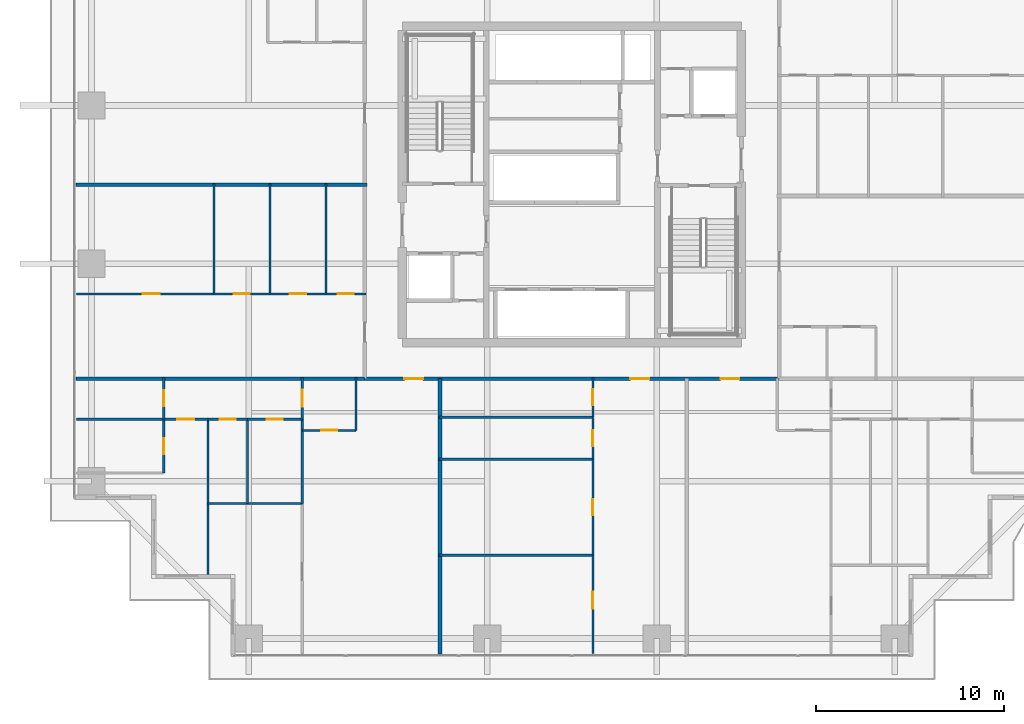
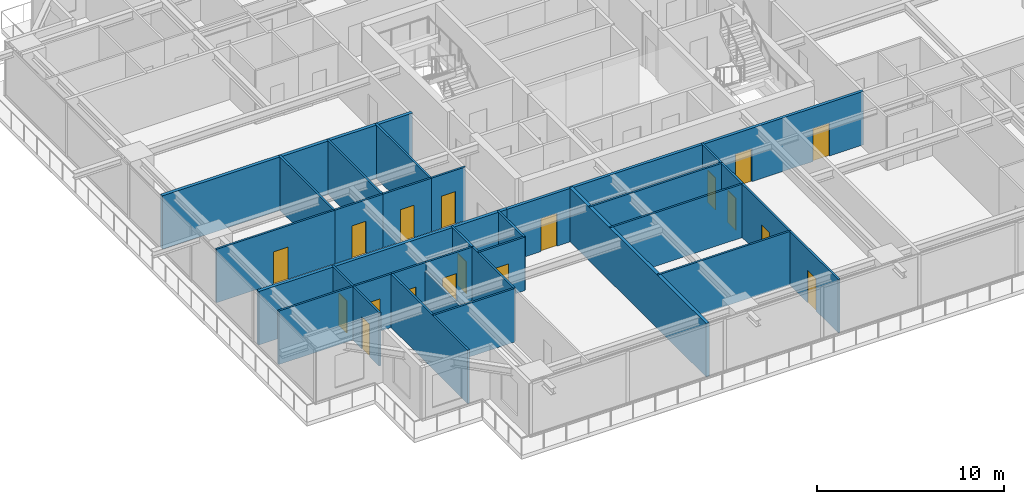
# One storey, part 27 of 38: 31 walls, 18 doors, 18 openings.
"""IFC4 building model written with IfcOpenShell, lengths in metres."""

from ifc_helpers import new_model, si_unit, direction, frame, frame_2d, origin, place, context, subcontext, project, spatial, rectangle, extrude, source, transform, mapped, material, layer, layer_set, type_object, element, fill, save


model = new_model("IFC4")

# Units and contexts
model_context = context("Model", 3, precision=1e-05, world=origin(), true_north=direction((0.0, 1.0)))
body_context = subcontext(model_context, "Body", "Model", "MODEL_VIEW")
ifc_project = project(units=[si_unit("LENGTHUNIT", "METRE"), si_unit("AREAUNIT", "SQUARE_METRE"), si_unit("VOLUMEUNIT", "CUBIC_METRE"), si_unit("PLANEANGLEUNIT", "RADIAN"), si_unit("MASSUNIT", "GRAM", prefix="KILO")], contexts=[model_context])

# Site, building, storey
site_placement = place(None, origin())
site = spatial("IfcSite", under=ifc_project, at=site_placement, CompositionType="ELEMENT")
building_placement = place(site_placement, origin())
building = spatial("IfcBuilding", under=site, at=building_placement, Name="Serunith Strait Residences", CompositionType="ELEMENT")
storey_placement = place(building_placement, frame((0.0, 0.0, 37.949951171875)))
storey = spatial("IfcBuildingStorey", under=building, at=storey_placement, Name="L08", CompositionType="ELEMENT", Elevation=37.949951171875)

# Wall, openings, doors
ifc_material_1 = material(Name="Fire-rated acoustic gypsum partition")
ifc_layer_1 = layer(ifc_material_1, 0.179931640625, Name="Fire-rated acoustic gypsum partition")
ifc_layer_set_1 = layer_set([ifc_layer_1], Name="Fire-rated acoustic gypsum partition")
wall_type_1 = type_object("IfcWallType", Name="IW-CORR-180", PredefinedType="PARTITIONING", material=ifc_layer_set_1)
wall_1_placement = place(storey_placement, frame((21.402099609375, 14.89990234375, 0.0), z_axis=(0.0, 0.0, 1.0), x_axis=(1.0, 0.0, 0.0)))
wall_1 = element("IfcWall", 1, at=wall_1_placement, inside=storey, type_object=wall_type_1, Name="L08 Partition Wall 027", PredefinedType="PARTITIONING", context=body_context, shape_type="SweptSolid", body=[
    extrude(rectangle(XDim=21.995849609375, YDim=0.179931640625, at=frame_2d((10.998046875, 0.0))), origin(), (0.0, 0.0, 1.0), 3.489990234375),
])
opening_1_placement = place(wall_1_placement, frame((2.10009765625, 0.0, 0.0)))
opening_1 = element("IfcOpeningElement", 2, at=opening_1_placement, cuts=wall_1, Name="Opening D-APT1000", PredefinedType="OPENING", context=body_context, shape_type="SweptSolid", body=[
    extrude(rectangle(XDim=1.0, YDim=2.14990234375, at=frame_2d((0.5, 1.074951171875))), frame((0.0, 0.10009765625, 0.0), z_axis=(0.0, -1.0, 0.0), x_axis=(1.0, 0.0, 0.0)), (0.0, 0.0, 1.0), 0.199951171875),
])
opening_2_placement = place(wall_1_placement, frame((14.10888671875, 0.0, 0.0)))
opening_2 = element("IfcOpeningElement", 3, at=opening_2_placement, cuts=wall_1, Name="Opening D-APT1000", PredefinedType="OPENING", context=body_context, shape_type="SweptSolid", body=[
    extrude(rectangle(XDim=1.0, YDim=2.14990234375, at=frame_2d((0.5, 1.074951171875))), frame((0.0, 0.10009765625, 0.0), z_axis=(0.0, -1.0, 0.0), x_axis=(1.0, 0.0, 0.0)), (0.0, 0.0, 1.0), 0.199951171875),
])
opening_3_placement = place(wall_1_placement, frame((18.89599609375, 0.0, 0.0)))
opening_3 = element("IfcOpeningElement", 4, at=opening_3_placement, cuts=wall_1, Name="Opening D-APT1000", PredefinedType="OPENING", context=body_context, shape_type="SweptSolid", body=[
    extrude(rectangle(XDim=1.0, YDim=2.14990234375, at=frame_2d((0.5, 1.074951171875))), frame((0.0, 0.10009765625, 0.0), z_axis=(0.0, -1.0, 0.0), x_axis=(1.0, 0.0, 0.0)), (0.0, 0.0, 1.0), 0.199951171875),
])
ifc_material_2 = material(Name="Solid timber engineered fire door", Category="wood")
door_type_1 = type_object("IfcDoorType", Name="ID-APT-1000", OperationType="NOTDEFINED", PredefinedType="DOOR", material=ifc_material_2)
shared_shape_1 = source(origin(), body_context, "Body", "SweptSolid", [
    extrude(rectangle(XDim=1.0, YDim=2.14990234375, at=frame_2d((0.5, 1.074951171875))), frame((0.0, 0.02490234375, 0.0), z_axis=(0.0, -1.0, 0.0), x_axis=(1.0, 0.0, 0.0)), (0.0, 0.0, 1.0), 0.050048828125),
])
door_1_placement = place(opening_1_placement, origin())
door_1 = element("IfcDoor", 5, at=door_1_placement, inside=storey, type_object=door_type_1, Name="L08 Unit 01 Entrance Door", OperationType="SINGLE_SWING_RIGHT", OverallHeight=2.14990234375, OverallWidth=1.0, PredefinedType="DOOR", context=body_context, shape_type="MappedRepresentation", body=[
    mapped(shared_shape_1, transform((0.0, 0.0, 0.0), scale=1.0)),
])
fill(opening_1, door_1)
door_2_placement = place(opening_2_placement, origin())
door_2 = element("IfcDoor", 6, at=door_2_placement, inside=storey, type_object=door_type_1, Name="L08 Unit 02 Entrance Door", OperationType="SINGLE_SWING_LEFT", OverallHeight=2.14990234375, OverallWidth=1.0, PredefinedType="DOOR", context=body_context, shape_type="MappedRepresentation", body=[
    mapped(shared_shape_1, transform((0.0, 0.0, 0.0), scale=1.0)),
])
fill(opening_2, door_2)
door_3_placement = place(opening_3_placement, origin())
door_3 = element("IfcDoor", 7, at=door_3_placement, inside=storey, type_object=door_type_1, Name="L08 Unit 03 Entrance Door", OperationType="SINGLE_SWING_RIGHT", OverallHeight=2.14990234375, OverallWidth=1.0, PredefinedType="DOOR", context=body_context, shape_type="MappedRepresentation", body=[
    mapped(shared_shape_1, transform((0.0, 0.0, 0.0), scale=1.0)),
])
fill(opening_3, door_3)

# Wall, opening, door
ifc_material_3 = material(Name="Lightweight steel-stud gypsum partition", Category="steel")
ifc_layer_2 = layer(ifc_material_3, 0.1201171875, Name="Lightweight steel-stud gypsum partition")
ifc_layer_set_2 = layer_set([ifc_layer_2], Name="Lightweight steel-stud gypsum partition")
wall_type_2 = type_object("IfcWallType", Name="IW-PART-120", PredefinedType="PARTITIONING", material=ifc_layer_set_2)
wall_2_placement = place(storey_placement, frame((18.090087890625, 12.14990234375, 0.0), z_axis=(0.0, 0.0, 1.0), x_axis=(1.0, 0.0, 0.0)))
wall_2 = element("IfcWall", 8, at=wall_2_placement, inside=storey, type_object=wall_type_2, Name="L08 Partition Wall 031", PredefinedType="PARTITIONING", context=body_context, shape_type="SweptSolid", body=[
    extrude(rectangle(XDim=2.849853515625, YDim=0.1201171875, at=frame_2d((1.4248046875, 0.0))), origin(), (0.0, 0.0, 1.0), 3.489990234375),
])
opening_4_placement = place(wall_2_placement, frame((1.0, 0.0, 0.0)))
opening_4 = element("IfcOpeningElement", 9, at=opening_4_placement, cuts=wall_2, Name="Opening D-RM850", PredefinedType="OPENING", context=body_context, shape_type="SweptSolid", body=[
    extrude(rectangle(XDim=0.85009765625, YDim=2.10009765625, at=frame_2d((0.425048828125, 1.050048828125))), frame((0.0, 0.070068359375, 0.0), z_axis=(0.0, -1.0, 0.0), x_axis=(1.0, 0.0, 0.0)), (0.0, 0.0, 1.0), 0.14013671875),
])
ifc_material_4 = material(Name="Engineered timber flush study and kitchen door", Category="wood")
door_type_2 = type_object("IfcDoorType", Name="ID-ROOM-850", OperationType="NOTDEFINED", PredefinedType="DOOR", material=ifc_material_4)
shared_shape_2 = source(origin(), body_context, "Body", "SweptSolid", [
    extrude(rectangle(XDim=0.85009765625, YDim=2.10009765625, at=frame_2d((0.425048828125, 1.050048828125))), frame((0.0, 0.02490234375, 0.0), z_axis=(0.0, -1.0, 0.0), x_axis=(1.0, 0.0, 0.0)), (0.0, 0.0, 1.0), 0.050048828125),
])
door_4_placement = place(opening_4_placement, origin())
door_4 = element("IfcDoor", 10, at=door_4_placement, inside=storey, type_object=door_type_2, Name="L08 Kitchen 0801 Door", OperationType="SINGLE_SWING_RIGHT", OverallHeight=2.10009765625, OverallWidth=0.85009765625, PredefinedType="DOOR", context=body_context, shape_type="MappedRepresentation", body=[
    mapped(shared_shape_2, transform((0.0, 0.0, 0.0), scale=1.0)),
])
fill(opening_4, door_4)

# Wall
wall_3_placement = place(storey_placement, frame((20.93994140625, 12.14990234375, 0.0), z_axis=(0.0, 0.0, 1.0), x_axis=(0.0, 1.0, 0.0)))
element("IfcWall", 11, at=wall_3_placement, inside=storey, type_object=wall_type_2, Name="L08 Partition Wall 032", PredefinedType="PARTITIONING", context=body_context, shape_type="SweptSolid", body=[
    extrude(rectangle(XDim=2.81005859375, YDim=0.1201171875, at=frame_2d((1.405029296875, 0.0))), origin(), (0.0, 0.0, 1.0), 3.489990234375),
])

# Wall, opening, door
wall_4_placement = place(storey_placement, frame((18.090087890625, 12.75, 0.0), z_axis=(0.0, 0.0, 1.0), x_axis=(0.0, 1.0, 0.0)))
wall_4 = element("IfcWall", 12, at=wall_4_placement, inside=storey, type_object=wall_type_2, Name="L08 Partition Wall 033", PredefinedType="PARTITIONING", context=body_context, shape_type="SweptSolid", body=[
    extrude(rectangle(XDim=2.2099609375, YDim=0.1201171875, at=frame_2d((1.10498046875, 0.0))), origin(), (0.0, 0.0, 1.0), 3.489990234375),
])
opening_5_placement = place(wall_4_placement, frame((0.655029296875, 0.0, 0.0)))
opening_5 = element("IfcOpeningElement", 13, at=opening_5_placement, cuts=wall_4, Name="Opening D-RM900", PredefinedType="OPENING", context=body_context, shape_type="SweptSolid", body=[
    extrude(rectangle(XDim=0.89990234375, YDim=2.10009765625, at=frame_2d((0.449951171875, 1.050048828125))), frame((0.0, 0.070068359375, 0.0), z_axis=(0.0, -1.0, 0.0), x_axis=(1.0, 0.0, 0.0)), (0.0, 0.0, 1.0), 0.14013671875),
])
ifc_material_5 = material(Name="Engineered timber flush bedroom door", Category="wood")
door_type_3 = type_object("IfcDoorType", Name="ID-ROOM-900", OperationType="NOTDEFINED", PredefinedType="DOOR", material=ifc_material_5)
shared_shape_3 = source(origin(), body_context, "Body", "SweptSolid", [
    extrude(rectangle(XDim=0.89990234375, YDim=2.10009765625, at=frame_2d((0.449951171875, 1.050048828125))), frame((0.0, 0.02490234375, 0.0), z_axis=(0.0, -1.0, 0.0), x_axis=(1.0, 0.0, 0.0)), (0.0, 0.0, 1.0), 0.050048828125),
])
door_5_placement = place(opening_5_placement, origin())
door_5 = element("IfcDoor", 14, at=door_5_placement, inside=storey, type_object=door_type_3, Name="L08 Hall W 0801 Door", OperationType="SINGLE_SWING_LEFT", OverallHeight=2.10009765625, OverallWidth=0.89990234375, PredefinedType="DOOR", context=body_context, shape_type="MappedRepresentation", body=[
    mapped(shared_shape_3, transform((0.0, 0.0, 0.0), scale=1.0)),
])
fill(opening_5, door_5)

# Walls
wall_5_placement = place(storey_placement, frame((18.090087890625, 8.278076171875, 0.0), z_axis=(0.0, 0.0, 1.0), x_axis=(0.0, 1.0, 0.0)))
element("IfcWall", 15, at=wall_5_placement, inside=storey, type_object=wall_type_2, Name="L08 Partition Wall 035", PredefinedType="PARTITIONING", context=body_context, shape_type="SweptSolid", body=[
    extrude(rectangle(XDim=4.469970703125, YDim=0.1201171875, at=frame_2d((2.23486328125, 0.0))), origin(), (0.0, 0.0, 1.0), 3.489990234375),
])
wall_6_placement = place(storey_placement, frame((13.080078125, 8.27587890625, 0.0), z_axis=(0.0, 0.0, 1.0), x_axis=(1.0, 0.0, 0.0)))
element("IfcWall", 16, at=wall_6_placement, inside=storey, type_object=wall_type_2, Name="L08 Partition Wall 036", PredefinedType="PARTITIONING", context=body_context, shape_type="SweptSolid", body=[
    extrude(rectangle(XDim=5.010009765625, YDim=0.1201171875, at=frame_2d((2.5048828125, 0.0))), origin(), (0.0, 0.0, 1.0), 3.489990234375),
])
wall_7_placement = place(storey_placement, frame((13.080078125, 4.4951171875, 0.0), z_axis=(0.0, 0.0, 1.0), x_axis=(0.0, 1.0, 0.0)))
element("IfcWall", 17, at=wall_7_placement, inside=storey, type_object=wall_type_2, Name="L08 Partition Wall 037", PredefinedType="PARTITIONING", context=body_context, shape_type="SweptSolid", body=[
    extrude(rectangle(XDim=8.2548828125, YDim=0.1201171875, at=frame_2d((4.12744140625, 0.0))), origin(), (0.0, 0.0, 1.0), 3.489990234375),
])
wall_8_placement = place(storey_placement, frame((15.179931640625, 8.27587890625, 0.0), z_axis=(0.0, 0.0, 1.0), x_axis=(0.0, 1.0, 0.0)))
element("IfcWall", 18, at=wall_8_placement, inside=storey, type_object=wall_type_2, Name="L08 Partition Wall 038", PredefinedType="PARTITIONING", context=body_context, shape_type="SweptSolid", body=[
    extrude(rectangle(XDim=4.47412109375, YDim=0.1201171875, at=frame_2d((2.237060546875, 0.0))), origin(), (0.0, 0.0, 1.0), 2.922119140625),
])

# Wall, opening, door
wall_9_placement = place(storey_placement, frame((13.080078125, 12.75, 0.0), z_axis=(0.0, 0.0, 1.0), x_axis=(1.0, 0.0, 0.0)))
wall_9 = element("IfcWall", 19, at=wall_9_placement, inside=storey, type_object=wall_type_2, Name="L08 Partition Wall 039", PredefinedType="PARTITIONING", context=body_context, shape_type="SweptSolid", body=[
    extrude(rectangle(XDim=2.099853515625, YDim=0.1201171875, at=frame_2d((1.0498046875, 0.0))), origin(), (0.0, 0.0, 1.0), 3.489990234375),
])
opening_6_placement = place(wall_9_placement, frame((0.625, 0.0, 0.0)))
opening_6 = element("IfcOpeningElement", 20, at=opening_6_placement, cuts=wall_9, Name="Opening D-BTH850", PredefinedType="OPENING", context=body_context, shape_type="SweptSolid", body=[
    extrude(rectangle(XDim=0.85009765625, YDim=2.10009765625, at=frame_2d((0.425048828125, 1.050048828125))), frame((0.0, 0.070068359375, 0.0), z_axis=(0.0, -1.0, 0.0), x_axis=(1.0, 0.0, 0.0)), (0.0, 0.0, 1.0), 0.14013671875),
])
ifc_material_6 = material(Name="Moisture-resistant timber bathroom door", Category="wood")
door_type_4 = type_object("IfcDoorType", Name="ID-BATH-850", OperationType="NOTDEFINED", PredefinedType="DOOR", material=ifc_material_6)
door_6_placement = place(opening_6_placement, origin())
door_6 = element("IfcDoor", 21, at=door_6_placement, inside=storey, type_object=door_type_4, Name="L08 Bathroom 0801 Door", OperationType="SINGLE_SWING_LEFT", OverallHeight=2.10009765625, OverallWidth=0.85009765625, PredefinedType="DOOR", context=body_context, shape_type="MappedRepresentation", body=[
    mapped(shared_shape_2, transform((0.0, 0.0, 0.0), scale=1.0)),
])
fill(opening_6, door_6)

wall_10_placement = place(storey_placement, frame((15.181884765625, 12.75, 0.0), z_axis=(0.0, 0.0, 1.0), x_axis=(1.0, 0.0, 0.0)))
wall_10 = element("IfcWall", 22, at=wall_10_placement, inside=storey, type_object=wall_type_2, Name="L08 Partition Wall 040", PredefinedType="PARTITIONING", context=body_context, shape_type="SweptSolid", body=[
    extrude(rectangle(XDim=2.908203125, YDim=0.1201171875, at=frame_2d((1.4541015625, 0.0))), origin(), (0.0, 0.0, 1.0), 3.489990234375),
])
opening_7_placement = place(wall_10_placement, frame((1.029052734375, 0.0, 0.0)))
opening_7 = element("IfcOpeningElement", 23, at=opening_7_placement, cuts=wall_10, Name="Opening D-RM850", PredefinedType="OPENING", context=body_context, shape_type="SweptSolid", body=[
    extrude(rectangle(XDim=0.85009765625, YDim=2.10009765625, at=frame_2d((0.425048828125, 1.050048828125))), frame((0.0, 0.070068359375, 0.0), z_axis=(0.0, -1.0, 0.0), x_axis=(1.0, 0.0, 0.0)), (0.0, 0.0, 1.0), 0.14013671875),
])
door_7_placement = place(opening_7_placement, origin())
door_7 = element("IfcDoor", 24, at=door_7_placement, inside=storey, type_object=door_type_2, Name="L08 Formal Dining Room 0801 Door", OperationType="SINGLE_SWING_RIGHT", OverallHeight=2.10009765625, OverallWidth=0.85009765625, PredefinedType="DOOR", context=body_context, shape_type="MappedRepresentation", body=[
    mapped(shared_shape_2, transform((0.0, 0.0, 0.0), scale=1.0)),
])
fill(opening_7, door_7)

wall_11_placement = place(storey_placement, frame((10.72998046875, 12.75, 0.0), z_axis=(0.0, 0.0, 1.0), x_axis=(1.0, 0.0, 0.0)))
wall_11 = element("IfcWall", 25, at=wall_11_placement, inside=storey, type_object=wall_type_2, Name="L08 Partition Wall 041", PredefinedType="PARTITIONING", context=body_context, shape_type="SweptSolid", body=[
    extrude(rectangle(XDim=2.347900390625, YDim=0.1201171875, at=frame_2d((1.173828125, 0.0))), origin(), (0.0, 0.0, 1.0), 3.489990234375),
])
opening_8_placement = place(wall_11_placement, frame((0.72412109375, 0.0, 0.0)))
opening_8 = element("IfcOpeningElement", 26, at=opening_8_placement, cuts=wall_11, Name="Opening D-RM900", PredefinedType="OPENING", context=body_context, shape_type="SweptSolid", body=[
    extrude(rectangle(XDim=0.89990234375, YDim=2.10009765625, at=frame_2d((0.449951171875, 1.050048828125))), frame((0.0, 0.070068359375, 0.0), z_axis=(0.0, -1.0, 0.0), x_axis=(1.0, 0.0, 0.0)), (0.0, 0.0, 1.0), 0.14013671875),
])
door_8_placement = place(opening_8_placement, origin())
door_8 = element("IfcDoor", 27, at=door_8_placement, inside=storey, type_object=door_type_3, Name="L08 Master Bedroom W 0801 Door", OperationType="SINGLE_SWING_LEFT", OverallHeight=2.10009765625, OverallWidth=0.89990234375, PredefinedType="DOOR", context=body_context, shape_type="MappedRepresentation", body=[
    mapped(shared_shape_3, transform((0.0, 0.0, 0.0), scale=1.0)),
])
fill(opening_8, door_8)

# Wall
wall_12_placement = place(storey_placement, frame((6.094970703125, 12.75, 0.0), z_axis=(0.0, 0.0, 1.0), x_axis=(1.0, 0.0, 0.0)))
element("IfcWall", 28, at=wall_12_placement, inside=storey, type_object=wall_type_2, Name="L08 Partition Wall 043", PredefinedType="PARTITIONING", context=body_context, shape_type="SweptSolid", body=[
    extrude(rectangle(XDim=4.633056640625, YDim=0.1201171875, at=frame_2d((2.31640625, 0.0))), origin(), (0.0, 0.0, 1.0), 3.489990234375),
])

# Wall, opening, door
wall_13_placement = place(storey_placement, frame((10.72998046875, 9.89404296875, 0.0), z_axis=(0.0, 0.0, 1.0), x_axis=(0.0, 1.0, 0.0)))
wall_13 = element("IfcWall", 29, at=wall_13_placement, inside=storey, type_object=wall_type_2, Name="L08 Partition Wall 044", PredefinedType="PARTITIONING", context=body_context, shape_type="SweptSolid", body=[
    extrude(rectangle(XDim=2.85595703125, YDim=0.1201171875, at=frame_2d((1.427978515625, 0.0))), origin(), (0.0, 0.0, 1.0), 3.489990234375),
])
opening_9_placement = place(wall_13_placement, frame((1.0029296875, 0.0, 0.0)))
opening_9 = element("IfcOpeningElement", 30, at=opening_9_placement, cuts=wall_13, Name="Opening D-BTH850", PredefinedType="OPENING", context=body_context, shape_type="SweptSolid", body=[
    extrude(rectangle(XDim=0.85009765625, YDim=2.10009765625, at=frame_2d((0.425048828125, 1.050048828125))), frame((0.0, 0.070068359375, 0.0), z_axis=(0.0, -1.0, 0.0), x_axis=(1.0, 0.0, 0.0)), (0.0, 0.0, 1.0), 0.14013671875),
])
door_9_placement = place(opening_9_placement, origin())
door_9 = element("IfcDoor", 31, at=door_9_placement, inside=storey, type_object=door_type_4, Name="L08 En-suite Bathroom W 0801 Door", OperationType="SINGLE_SWING_RIGHT", OverallHeight=2.10009765625, OverallWidth=0.85009765625, PredefinedType="DOOR", context=body_context, shape_type="MappedRepresentation", body=[
    mapped(shared_shape_2, transform((0.0, 0.0, 0.0), scale=1.0)),
])
fill(opening_9, door_9)

wall_14_placement = place(storey_placement, frame((10.72998046875, 12.751953125, 0.0), z_axis=(0.0, 0.0, 1.0), x_axis=(0.0, 1.0, 0.0)))
wall_14 = element("IfcWall", 32, at=wall_14_placement, inside=storey, type_object=wall_type_2, Name="L08 Partition Wall 045", PredefinedType="PARTITIONING", context=body_context, shape_type="SweptSolid", body=[
    extrude(rectangle(XDim=2.2080078125, YDim=0.1201171875, at=frame_2d((1.10400390625, 0.0))), origin(), (0.0, 0.0, 1.0), 3.489990234375),
])
opening_10_placement = place(wall_14_placement, frame((0.678955078125, 0.0, 0.0)))
opening_10 = element("IfcOpeningElement", 33, at=opening_10_placement, cuts=wall_14, Name="Opening D-RM850", PredefinedType="OPENING", context=body_context, shape_type="SweptSolid", body=[
    extrude(rectangle(XDim=0.85009765625, YDim=2.10009765625, at=frame_2d((0.425048828125, 1.050048828125))), frame((0.0, 0.070068359375, 0.0), z_axis=(0.0, -1.0, 0.0), x_axis=(1.0, 0.0, 0.0)), (0.0, 0.0, 1.0), 0.14013671875),
])
door_10_placement = place(opening_10_placement, origin())
door_10 = element("IfcDoor", 34, at=door_10_placement, inside=storey, type_object=door_type_2, Name="L08 Wardrobe W 0801 Door", OperationType="SINGLE_SWING_LEFT", OverallHeight=2.10009765625, OverallWidth=0.85009765625, PredefinedType="DOOR", context=body_context, shape_type="MappedRepresentation", body=[
    mapped(shared_shape_2, transform((0.0, 0.0, 0.0), scale=1.0)),
])
fill(opening_10, door_10)

wall_15_placement = place(storey_placement, frame((33.52001953125, 0.294921875, 0.0), z_axis=(0.0, 0.0, 1.0), x_axis=(0.0, 1.0, 0.0)))
wall_15 = element("IfcWall", 35, at=wall_15_placement, inside=storey, type_object=wall_type_2, Name="L08 Partition Wall 046", PredefinedType="PARTITIONING", context=body_context, shape_type="SweptSolid", body=[
    extrude(rectangle(XDim=5.233154296875, YDim=0.1201171875, at=frame_2d((2.61669921875, 0.0))), origin(), (0.0, 0.0, 1.0), 3.489990234375),
])
opening_11_placement = place(wall_15_placement, frame((2.383056640625, 0.0, 0.0)))
opening_11 = element("IfcOpeningElement", 36, at=opening_11_placement, cuts=wall_15, Name="Opening D-RM900", PredefinedType="OPENING", context=body_context, shape_type="SweptSolid", body=[
    extrude(rectangle(XDim=0.89990234375, YDim=2.10009765625, at=frame_2d((0.449951171875, 1.050048828125))), frame((0.0, 0.070068359375, 0.0), z_axis=(0.0, -1.0, 0.0), x_axis=(1.0, 0.0, 0.0)), (0.0, 0.0, 1.0), 0.14013671875),
])
door_11_placement = place(opening_11_placement, origin())
door_11 = element("IfcDoor", 37, at=door_11_placement, inside=storey, type_object=door_type_3, Name="L08 Master Bedroom 1 0802 Door", OperationType="SINGLE_SWING_RIGHT", OverallHeight=2.10009765625, OverallWidth=0.89990234375, PredefinedType="DOOR", context=body_context, shape_type="MappedRepresentation", body=[
    mapped(shared_shape_3, transform((0.0, 0.0, 0.0), scale=1.0)),
])
fill(opening_11, door_11)

# Walls
for number, where, z_axis, x_axis, name in (
    (38, (25.340087890625, 5.528076171875, 0.0), (0.0, 0.0, 1.0), (1.0, 0.0, 0.0), "L08 Partition Wall 047"),
    (39, (25.340087890625, 10.62109375, 0.0), (0.0, 0.0, 1.0), (1.0, 0.0, 0.0), "L08 Partition Wall 048"),
    (40, (25.340087890625, 12.85009765625, 0.0), (0.0, 0.0, 1.0), (1.0, 0.0, 0.0), "L08 Partition Wall 049"),
):
    element("IfcWall", number, at=place(storey_placement, frame(where, z_axis=z_axis, x_axis=x_axis)), inside=storey, type_object=wall_type_2, Name=name, PredefinedType="PARTITIONING", context=body_context, shape_type="SweptSolid", body=[
        extrude(rectangle(XDim=8.179931640625, YDim=0.1201171875, at=frame_2d((4.08984375, 0.0))), origin(), (0.0, 0.0, 1.0), 3.489990234375),
    ])

# Wall, opening, door
wall_16_placement = place(storey_placement, frame((33.52001953125, 5.530029296875, 0.0), z_axis=(0.0, 0.0, 1.0), x_axis=(0.0, 1.0, 0.0)))
wall_16 = element("IfcWall", 41, at=wall_16_placement, inside=storey, type_object=wall_type_2, Name="L08 Partition Wall 050", PredefinedType="PARTITIONING", context=body_context, shape_type="SweptSolid", body=[
    extrude(rectangle(XDim=5.091064453125, YDim=0.1201171875, at=frame_2d((2.54541015625, 0.0))), origin(), (0.0, 0.0, 1.0), 3.489990234375),
])
opening_12_placement = place(wall_16_placement, frame((2.12109375, 0.0, 0.0)))
opening_12 = element("IfcOpeningElement", 42, at=opening_12_placement, cuts=wall_16, Name="Opening D-RM850", PredefinedType="OPENING", context=body_context, shape_type="SweptSolid", body=[
    extrude(rectangle(XDim=0.85009765625, YDim=2.10009765625, at=frame_2d((0.425048828125, 1.050048828125))), frame((0.0, 0.070068359375, 0.0), z_axis=(0.0, -1.0, 0.0), x_axis=(1.0, 0.0, 0.0)), (0.0, 0.0, 1.0), 0.14013671875),
])
door_12_placement = place(opening_12_placement, origin())
door_12 = element("IfcDoor", 43, at=door_12_placement, inside=storey, type_object=door_type_2, Name="L08 Dining 0802 Door", OperationType="SINGLE_SWING_LEFT", OverallHeight=2.10009765625, OverallWidth=0.85009765625, PredefinedType="DOOR", context=body_context, shape_type="MappedRepresentation", body=[
    mapped(shared_shape_2, transform((0.0, 0.0, 0.0), scale=1.0)),
])
fill(opening_12, door_12)

wall_17_placement = place(storey_placement, frame((33.52001953125, 10.623046875, 0.0), z_axis=(0.0, 0.0, 1.0), x_axis=(0.0, 1.0, 0.0)))
wall_17 = element("IfcWall", 44, at=wall_17_placement, inside=storey, type_object=wall_type_2, Name="L08 Partition Wall 051", PredefinedType="PARTITIONING", context=body_context, shape_type="SweptSolid", body=[
    extrude(rectangle(XDim=2.22705078125, YDim=0.1201171875, at=frame_2d((1.113525390625, 0.0))), origin(), (0.0, 0.0, 1.0), 3.489990234375),
])
opening_13_placement = place(wall_17_placement, frame((0.68896484375, 0.0, 0.0)))
opening_13 = element("IfcOpeningElement", 45, at=opening_13_placement, cuts=wall_17, Name="Opening D-RM850", PredefinedType="OPENING", context=body_context, shape_type="SweptSolid", body=[
    extrude(rectangle(XDim=0.85009765625, YDim=2.10009765625, at=frame_2d((0.425048828125, 1.050048828125))), frame((0.0, 0.070068359375, 0.0), z_axis=(0.0, -1.0, 0.0), x_axis=(1.0, 0.0, 0.0)), (0.0, 0.0, 1.0), 0.14013671875),
])
door_13_placement = place(opening_13_placement, origin())
door_13 = element("IfcDoor", 46, at=door_13_placement, inside=storey, type_object=door_type_2, Name="L08 Kitchen 0802 Door", OperationType="SINGLE_SWING_RIGHT", OverallHeight=2.10009765625, OverallWidth=0.85009765625, PredefinedType="DOOR", context=body_context, shape_type="MappedRepresentation", body=[
    mapped(shared_shape_2, transform((0.0, 0.0, 0.0), scale=1.0)),
])
fill(opening_13, door_13)

wall_18_placement = place(storey_placement, frame((33.52001953125, 12.85205078125, 0.0), z_axis=(0.0, 0.0, 1.0), x_axis=(0.0, 1.0, 0.0)))
wall_18 = element("IfcWall", 47, at=wall_18_placement, inside=storey, type_object=wall_type_2, Name="L08 Partition Wall 052", PredefinedType="PARTITIONING", context=body_context, shape_type="SweptSolid", body=[
    extrude(rectangle(XDim=2.10791015625, YDim=0.1201171875, at=frame_2d((1.053955078125, 0.0))), origin(), (0.0, 0.0, 1.0), 3.489990234375),
])
opening_14_placement = place(wall_18_placement, frame((0.62890625, 0.0, 0.0)))
opening_14 = element("IfcOpeningElement", 48, at=opening_14_placement, cuts=wall_18, Name="Opening D-BTH850", PredefinedType="OPENING", context=body_context, shape_type="SweptSolid", body=[
    extrude(rectangle(XDim=0.85009765625, YDim=2.10009765625, at=frame_2d((0.425048828125, 1.050048828125))), frame((0.0, 0.070068359375, 0.0), z_axis=(0.0, -1.0, 0.0), x_axis=(1.0, 0.0, 0.0)), (0.0, 0.0, 1.0), 0.14013671875),
])
door_14_placement = place(opening_14_placement, origin())
door_14 = element("IfcDoor", 49, at=door_14_placement, inside=storey, type_object=door_type_4, Name="L08 Bathroom 0802 Door", OperationType="SINGLE_SWING_LEFT", OverallHeight=2.10009765625, OverallWidth=0.85009765625, PredefinedType="DOOR", context=body_context, shape_type="MappedRepresentation", body=[
    mapped(shared_shape_2, transform((0.0, 0.0, 0.0), scale=1.0)),
])
fill(opening_14, door_14)

wall_19_placement = place(storey_placement, frame((6.094970703125, 19.39990234375, 0.0), z_axis=(0.0, 0.0, 1.0), x_axis=(1.0, 0.0, 0.0)))
wall_19 = element("IfcWall", 50, at=wall_19_placement, inside=storey, type_object=wall_type_2, Name="L08 Partition Wall 103", PredefinedType="PARTITIONING", context=body_context, shape_type="SweptSolid", body=[
    extrude(rectangle(XDim=7.299072265625, YDim=0.1201171875, at=frame_2d((3.6494140625, 0.0))), origin(), (0.0, 0.0, 1.0), 3.489990234375),
])
opening_15_placement = place(wall_19_placement, frame((3.51904296875, 0.0, 0.0)))
opening_15 = element("IfcOpeningElement", 51, at=opening_15_placement, cuts=wall_19, Name="Opening D-RM900", PredefinedType="OPENING", context=body_context, shape_type="SweptSolid", body=[
    extrude(rectangle(XDim=0.89990234375, YDim=2.10009765625, at=frame_2d((0.449951171875, 1.050048828125))), frame((0.0, 0.070068359375, 0.0), z_axis=(0.0, -1.0, 0.0), x_axis=(1.0, 0.0, 0.0)), (0.0, 0.0, 1.0), 0.14013671875),
])
door_15_placement = place(opening_15_placement, origin())
door_15 = element("IfcDoor", 52, at=door_15_placement, inside=storey, type_object=door_type_3, Name="L08 Master Bedroom 1 0807 Door", OperationType="SINGLE_SWING_RIGHT", OverallHeight=2.10009765625, OverallWidth=0.89990234375, PredefinedType="DOOR", context=body_context, shape_type="MappedRepresentation", body=[
    mapped(shared_shape_3, transform((0.0, 0.0, 0.0), scale=1.0)),
])
fill(opening_15, door_15)

# Walls
for number, where, z_axis, x_axis, name in (
    (53, (13.39404296875, 19.39990234375, 0.0), (0.0, 0.0, 1.0), (0.0, 1.0, 0.0), "L08 Partition Wall 104"),
    (54, (16.366943359375, 19.39990234375, 0.0), (0.0, 0.0, 1.0), (0.0, 1.0, 0.0), "L08 Partition Wall 105"),
    (55, (19.35009765625, 19.39990234375, 0.0), (0.0, 0.0, 1.0), (0.0, 1.0, 0.0), "L08 Partition Wall 106"),
):
    element("IfcWall", number, at=place(storey_placement, frame(where, z_axis=z_axis, x_axis=x_axis)), inside=storey, type_object=wall_type_2, Name=name, PredefinedType="PARTITIONING", context=body_context, shape_type="SweptSolid", body=[
        extrude(rectangle(XDim=5.860107421875, YDim=0.1201171875, at=frame_2d((2.93017578125, 0.0))), origin(), (0.0, 0.0, 1.0), 3.489990234375),
    ])

# Wall, opening, door
wall_20_placement = place(storey_placement, frame((13.39599609375, 19.39990234375, 0.0), z_axis=(0.0, 0.0, 1.0), x_axis=(1.0, 0.0, 0.0)))
wall_20 = element("IfcWall", 56, at=wall_20_placement, inside=storey, type_object=wall_type_2, Name="L08 Partition Wall 107", PredefinedType="PARTITIONING", context=body_context, shape_type="SweptSolid", body=[
    extrude(rectangle(XDim=2.970947265625, YDim=0.1201171875, at=frame_2d((1.4853515625, 0.0))), origin(), (0.0, 0.0, 1.0), 3.489990234375),
])
opening_16_placement = place(wall_20_placement, frame((1.06005859375, 0.0, 0.0)))
opening_16 = element("IfcOpeningElement", 57, at=opening_16_placement, cuts=wall_20, Name="Opening D-RM850", PredefinedType="OPENING", context=body_context, shape_type="SweptSolid", body=[
    extrude(rectangle(XDim=0.85009765625, YDim=2.10009765625, at=frame_2d((0.425048828125, 1.050048828125))), frame((0.0, 0.070068359375, 0.0), z_axis=(0.0, -1.0, 0.0), x_axis=(1.0, 0.0, 0.0)), (0.0, 0.0, 1.0), 0.14013671875),
])
door_16_placement = place(opening_16_placement, origin())
door_16 = element("IfcDoor", 58, at=door_16_placement, inside=storey, type_object=door_type_2, Name="L08 Dining 0807 Door", OperationType="SINGLE_SWING_LEFT", OverallHeight=2.10009765625, OverallWidth=0.85009765625, PredefinedType="DOOR", context=body_context, shape_type="MappedRepresentation", body=[
    mapped(shared_shape_2, transform((0.0, 0.0, 0.0), scale=1.0)),
])
fill(opening_16, door_16)

wall_21_placement = place(storey_placement, frame((16.368896484375, 19.39990234375, 0.0), z_axis=(0.0, 0.0, 1.0), x_axis=(1.0, 0.0, 0.0)))
wall_21 = element("IfcWall", 59, at=wall_21_placement, inside=storey, type_object=wall_type_2, Name="L08 Partition Wall 108", PredefinedType="PARTITIONING", context=body_context, shape_type="SweptSolid", body=[
    extrude(rectangle(XDim=2.981201171875, YDim=0.1201171875, at=frame_2d((1.49072265625, 0.0))), origin(), (0.0, 0.0, 1.0), 3.489990234375),
])
opening_17_placement = place(wall_21_placement, frame((1.06591796875, 0.0, 0.0)))
opening_17 = element("IfcOpeningElement", 60, at=opening_17_placement, cuts=wall_21, Name="Opening D-RM850", PredefinedType="OPENING", context=body_context, shape_type="SweptSolid", body=[
    extrude(rectangle(XDim=0.85009765625, YDim=2.10009765625, at=frame_2d((0.425048828125, 1.050048828125))), frame((0.0, 0.070068359375, 0.0), z_axis=(0.0, -1.0, 0.0), x_axis=(1.0, 0.0, 0.0)), (0.0, 0.0, 1.0), 0.14013671875),
])
door_17_placement = place(opening_17_placement, origin())
door_17 = element("IfcDoor", 61, at=door_17_placement, inside=storey, type_object=door_type_2, Name="L08 Kitchen 0807 Door", OperationType="SINGLE_SWING_RIGHT", OverallHeight=2.10009765625, OverallWidth=0.85009765625, PredefinedType="DOOR", context=body_context, shape_type="MappedRepresentation", body=[
    mapped(shared_shape_2, transform((0.0, 0.0, 0.0), scale=1.0)),
])
fill(opening_17, door_17)

wall_22_placement = place(storey_placement, frame((19.35205078125, 19.39990234375, 0.0), z_axis=(0.0, 0.0, 1.0), x_axis=(1.0, 0.0, 0.0)))
wall_22 = element("IfcWall", 62, at=wall_22_placement, inside=storey, type_object=wall_type_2, Name="L08 Partition Wall 109", PredefinedType="PARTITIONING", context=body_context, shape_type="SweptSolid", body=[
    extrude(rectangle(XDim=2.10791015625, YDim=0.1201171875, at=frame_2d((1.053955078125, 0.0))), origin(), (0.0, 0.0, 1.0), 3.489990234375),
])
opening_18_placement = place(wall_22_placement, frame((0.62890625, 0.0, 0.0)))
opening_18 = element("IfcOpeningElement", 63, at=opening_18_placement, cuts=wall_22, Name="Opening D-BTH850", PredefinedType="OPENING", context=body_context, shape_type="SweptSolid", body=[
    extrude(rectangle(XDim=0.85009765625, YDim=2.10009765625, at=frame_2d((0.425048828125, 1.050048828125))), frame((0.0, 0.070068359375, 0.0), z_axis=(0.0, -1.0, 0.0), x_axis=(1.0, 0.0, 0.0)), (0.0, 0.0, 1.0), 0.14013671875),
])
door_18_placement = place(opening_18_placement, origin())
door_18 = element("IfcDoor", 64, at=door_18_placement, inside=storey, type_object=door_type_4, Name="L08 Bathroom 0807 Door", OperationType="SINGLE_SWING_LEFT", OverallHeight=2.10009765625, OverallWidth=0.85009765625, PredefinedType="DOOR", context=body_context, shape_type="MappedRepresentation", body=[
    mapped(shared_shape_2, transform((0.0, 0.0, 0.0), scale=1.0)),
])
fill(opening_18, door_18)

# Walls
ifc_material_7 = material(Name="Twin-stud acoustic gypsum board partition")
ifc_layer_3 = layer(ifc_material_7, 0.199951171875, Name="Twin-stud acoustic gypsum board partition")
ifc_layer_set_3 = layer_set([ifc_layer_3], Name="Twin-stud acoustic gypsum board partition")
wall_type_3 = type_object("IfcWallType", Name="IW-PARTY-200", PredefinedType="PARTITIONING", material=ifc_layer_set_3)
wall_23_placement = place(storey_placement, frame((25.39990234375, 0.281982421875, 0.0), z_axis=(0.0, 0.0, 1.0), x_axis=(0.0, 1.0, 0.0)))
element("IfcWall", 65, at=wall_23_placement, inside=storey, type_object=wall_type_3, Name="L08 Partition Wall 017", PredefinedType="PARTITIONING", context=body_context, shape_type="SweptSolid", body=[
    extrude(rectangle(XDim=14.617919921875, YDim=0.199951171875, at=frame_2d((7.30908203125, 0.0))), origin(), (0.0, 0.0, 1.0), 3.489990234375),
])
wall_24_placement = place(storey_placement, frame((6.08203125, 25.199951171875, 0.0), z_axis=(0.0, 0.0, 1.0), x_axis=(1.0, 0.0, 0.0)))
element("IfcWall", 66, at=wall_24_placement, inside=storey, type_object=wall_type_3, Name="L08 Partition Wall 021", PredefinedType="PARTITIONING", context=body_context, shape_type="SweptSolid", body=[
    extrude(rectangle(XDim=15.43798828125, YDim=0.199951171875, at=frame_2d((7.718994140625, 0.0))), origin(), (0.0, 0.0, 1.0), 3.489990234375),
])
wall_25_placement = place(storey_placement, frame((6.08203125, 14.89990234375, 0.0), z_axis=(0.0, 0.0, 1.0), x_axis=(1.0, 0.0, 0.0)))
element("IfcWall", 67, at=wall_25_placement, inside=storey, type_object=wall_type_3, Name="L08 Partition Wall 023", PredefinedType="PARTITIONING", context=body_context, shape_type="SweptSolid", body=[
    extrude(rectangle(XDim=15.31787109375, YDim=0.199951171875, at=frame_2d((7.658935546875, 0.0))), origin(), (0.0, 0.0, 1.0), 3.489990234375),
])

save(model, "model.ifc")
